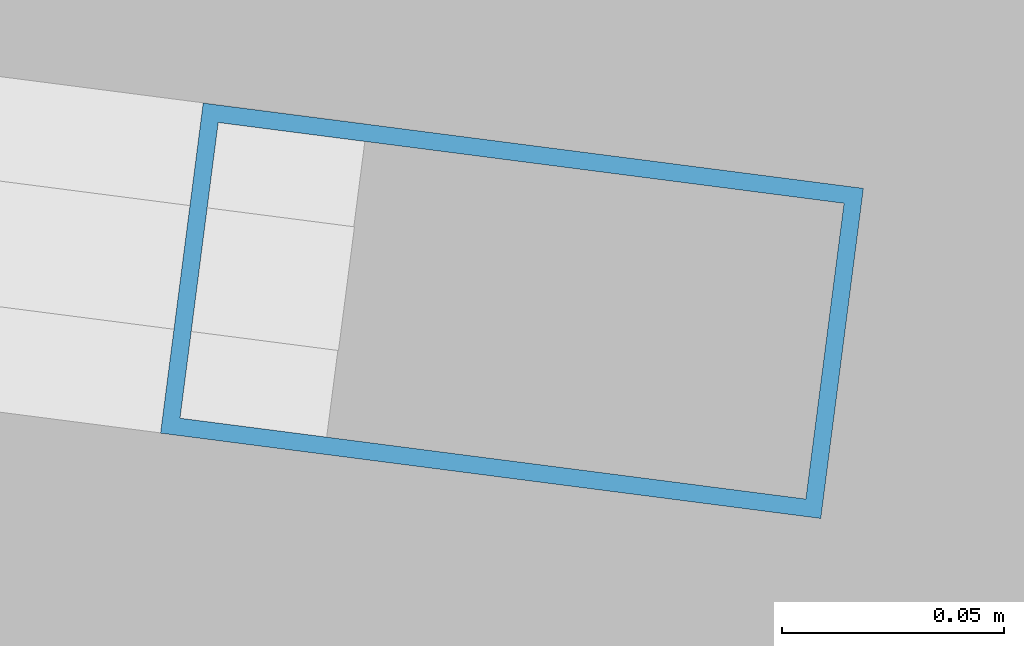
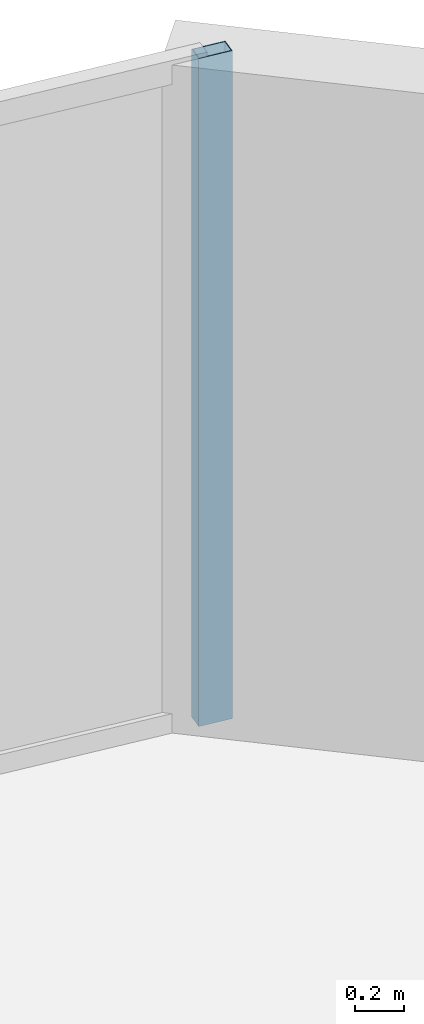
# One storey, part 19 of 31: 1 member, 1 element without a shape of its own.
"""IFC4 building model written with IfcOpenShell, lengths in metres."""

from ifc_helpers import new_model, si_unit, direction, frame, origin, origin_2d, place, context, subcontext, project, spatial, hollow_rectangle, extrude, material, layer, layer_set, material_profile, profile_set, type_object, element, aggregate, save


model = new_model("IFC4")

# Units and contexts
model_context = context("Model", 3, precision=1e-05, world=origin(), true_north=direction((0.0, 1.0)))
body_context = subcontext(model_context, "Body", "Model", "MODEL_VIEW")
ifc_project = project(units=[si_unit("LENGTHUNIT", "METRE"), si_unit("AREAUNIT", "SQUARE_METRE"), si_unit("VOLUMEUNIT", "CUBIC_METRE"), si_unit("PLANEANGLEUNIT", "RADIAN"), si_unit("MASSUNIT", "GRAM", prefix="KILO")], contexts=[model_context])

# Site, building, storey
site_placement = place(None, origin())
site = spatial("IfcSite", under=ifc_project, at=site_placement, CompositionType="ELEMENT")
building_placement = place(site_placement, origin())
building = spatial("IfcBuilding", under=site, at=building_placement, Name="Kazevale Care Tower and Concert Hall", CompositionType="ELEMENT")
storey_placement = place(building_placement, frame((0.0, 0.0, 56.39990234375)))
storey = spatial("IfcBuildingStorey", under=building, at=storey_placement, Name="L14", CompositionType="ELEMENT", Elevation=56.39990234375)

# Curtain wall, member
ifc_material_1 = material(Name="Aluminium 6063-T6 and Low-E Glass", Category="aluminium")
ifc_layer = layer(ifc_material_1, 0.179931640625)
ifc_layer_set = layer_set([ifc_layer], Name="Aluminium 6063-T6 and Low-E Glass")
curtain_wall_type = type_object("IfcCurtainWallType", Name="Convex Recessed Sunroom Curtain Wall CW-3", PredefinedType="NOTDEFINED", material=ifc_layer_set)
curtain_wall_placement = place(storey_placement, origin())
curtain_wall = element("IfcCurtainWall", 1, at=curtain_wall_placement, inside=storey, type_object=curtain_wall_type, Name="cw:L14:f16", PredefinedType="NOTDEFINED")
ifc_material_2 = material(Name="Aluminium 6063-T6", Category="aluminium")
ifc_material_profile = material_profile(ifc_material_2, hollow_rectangle(XDim=0.074951171875, YDim=0.14990234375, WallThickness=0.00390625, at=origin_2d()), Name="ALU75x150x4")
ifc_profile_set = profile_set([ifc_material_profile], Name="Aluminium 6063-T6")
member_type = type_object("IfcMemberType", Name="CW-3 Mullion ALU75x150x4", PredefinedType="MULLION", material=ifc_profile_set)
member_placement = place(storey_placement, frame((65.0029296875, 62.84375, 0.0), z_axis=(0.0, 0.0, 1.0), x_axis=(0.128086196538, 0.991763039368, 0.0)))
member = element("IfcMember", 2, at=member_placement, type_object=member_type, Name="CW-3 mullion 2", PredefinedType="MULLION", context=body_context, shape_type="SweptSolid", body=[
    extrude(hollow_rectangle(XDim=0.074951171875, YDim=0.14990234375, WallThickness=0.00390625, at=origin_2d()), origin(), (0.0, 0.0, 1.0), 3.360107421875),
])
aggregate(curtain_wall, [member])

save(model, "model.ifc")
